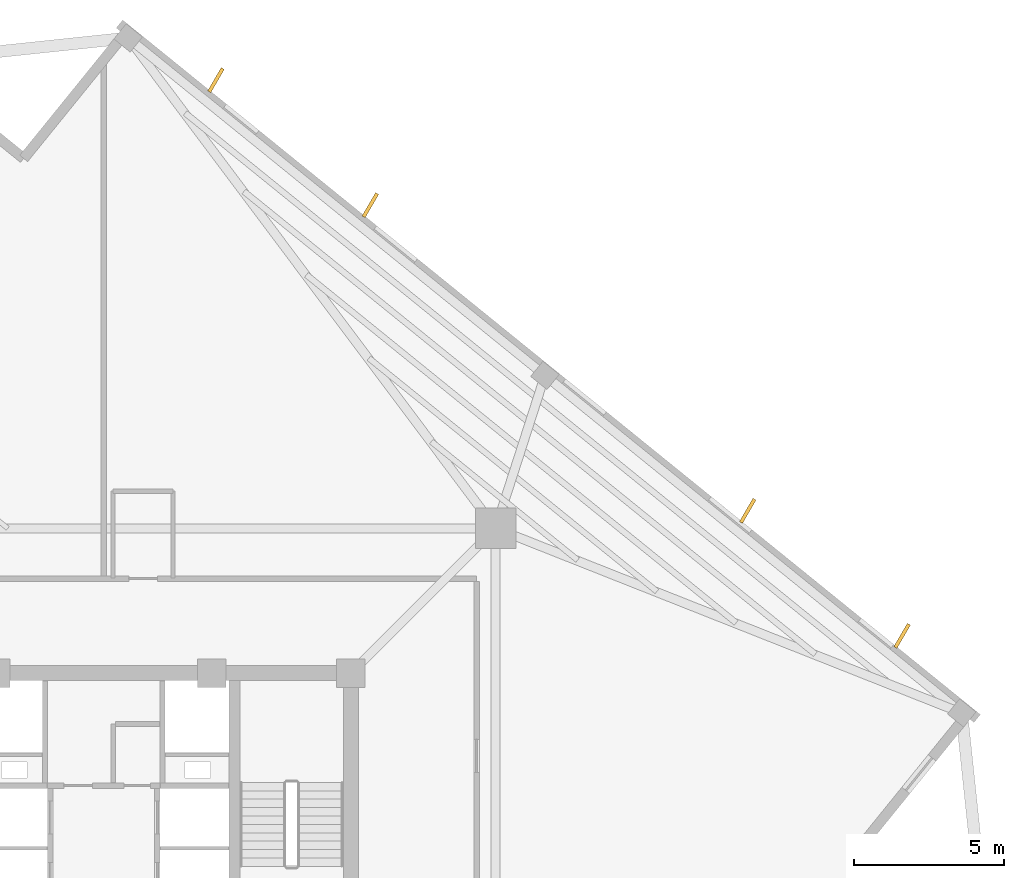
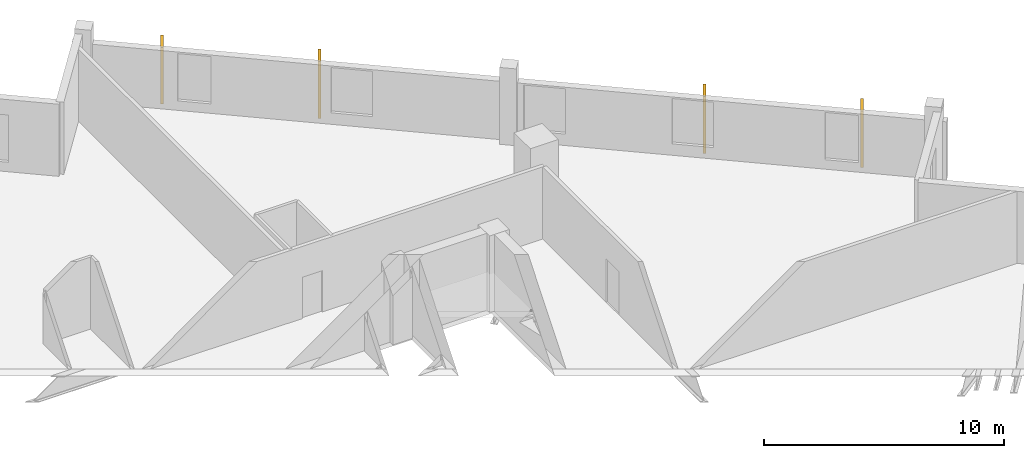
# One storey, part 9 of 9: 4 coverings.
"""IFC4 building model written with IfcOpenShell, lengths in metres."""

from ifc_helpers import new_model, si_unit, direction, frame, origin, origin_2d, place, context, subcontext, project, spatial, rectangle, extrude, source, transform, mapped, material, layer, layer_set, type_object, element, save


model = new_model("IFC4")

# Units and contexts
model_context = context("Model", 3, precision=1e-05, world=origin(), true_north=direction((0.0, 1.0)))
body_context = subcontext(model_context, "Body", "Model", "MODEL_VIEW")
ifc_project = project(units=[si_unit("LENGTHUNIT", "METRE"), si_unit("AREAUNIT", "SQUARE_METRE"), si_unit("VOLUMEUNIT", "CUBIC_METRE"), si_unit("PLANEANGLEUNIT", "RADIAN"), si_unit("MASSUNIT", "GRAM", prefix="KILO"), si_unit("THERMODYNAMICTEMPERATUREUNIT", "KELVIN")], contexts=[model_context])

# Site, building, storey
site_placement = place(None, origin())
site = spatial("IfcSite", under=ifc_project, at=site_placement, CompositionType="ELEMENT")
building_placement = place(site_placement, origin())
building = spatial("IfcBuilding", under=site, at=building_placement, Name="Kosmvard Interchange Tower", CompositionType="ELEMENT")
storey_placement = place(building_placement, frame((0.0, 0.0, 248.5)))
storey = spatial("IfcBuildingStorey", under=building, at=storey_placement, Name="L60", CompositionType="ELEMENT", Elevation=248.5)

# Coverings
ifc_material = material(Name="Architectural anodised aluminium", Category="aluminium")
ifc_layer = layer(ifc_material, 0.1201171875, Name="Architectural anodised aluminium")
ifc_layer_set = layer_set([ifc_layer], Name="Architectural anodised aluminium")
covering_type = type_object("IfcCoveringType", Name="Rotating Vertical Sun-Breaker Fin 900x120 Aluminium", PredefinedType="CLADDING", material=ifc_layer_set)
shared_shape = source(origin(), body_context, "Body", "SweptSolid", [
    extrude(rectangle(XDim=0.89990234375, YDim=0.1201171875, at=origin_2d()), origin(), (0.0, 0.0, 1.0), 2.8798828125),
])
for number, where, z_axis, x_axis, name in (
    (1, (26.650146484375, 9.494384765625, 0.0400390625), (0.0, 0.0, 1.0), (0.503170783377, 0.864186995248, 0.0), "L60 Rotating Vertical Sun-Breaker Fin 05"),
    (2, (21.49658203125, 13.66748046875, 0.0400390625), (0.0, 0.0, 1.0), (0.503170783377, 0.864186995248, 0.0), "L60 Rotating Vertical Sun-Breaker Fin 06"),
    (3, (8.8994140625, 23.86865234375, 0.0400390625), (0.0, 0.0, 1.0), (0.503170783377, 0.864186995248, 0.0), "L60 Rotating Vertical Sun-Breaker Fin 07"),
    (4, (3.74609375, 28.041748046875, 0.0400390625), (0.0, 0.0, 1.0), (0.503170783377, 0.864186995248, 0.0), "L60 Rotating Vertical Sun-Breaker Fin 08"),
):
    element("IfcCovering", number, at=place(storey_placement, frame(where, z_axis=z_axis, x_axis=x_axis)), inside=storey, type_object=covering_type, Name=name, PredefinedType="CLADDING", context=body_context, shape_type="MappedRepresentation", body=[
        mapped(shared_shape, transform((0.0, 0.0, 0.0), scale=1.0)),
    ])

save(model, "model.ifc")
